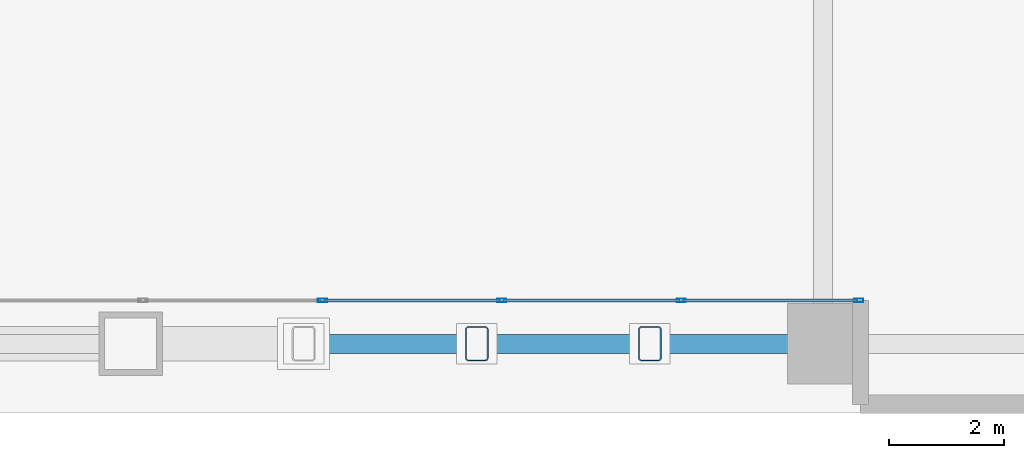
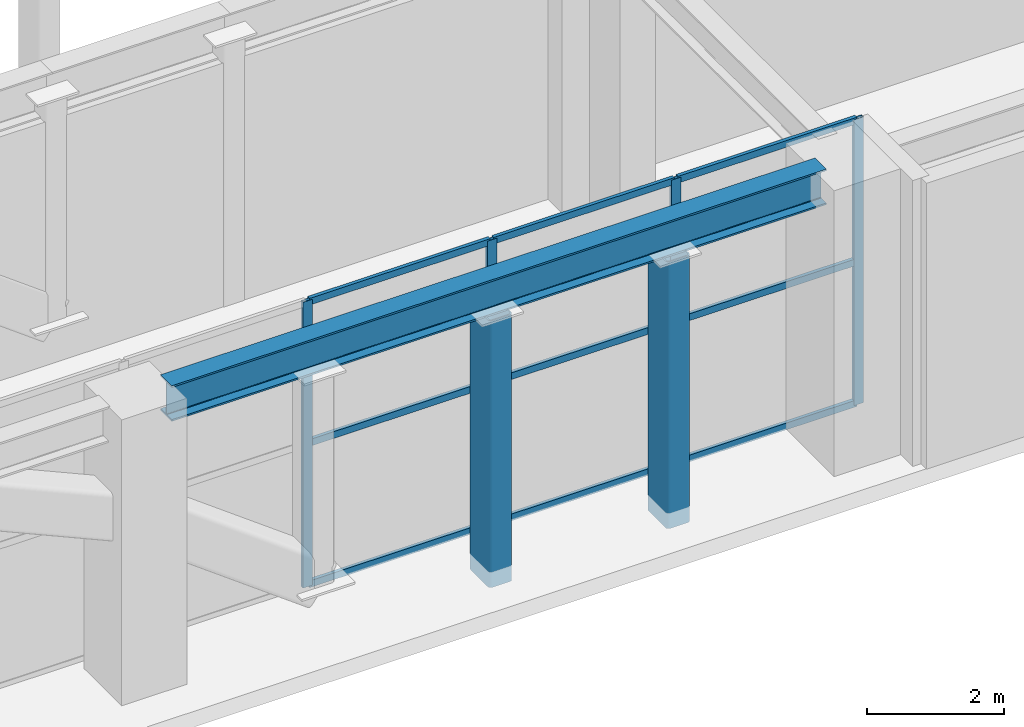
# One storey, part 9 of 32: 15 members, 1 beam, 1 element without a shape of its own.
"""IFC4 building model written with IfcOpenShell, lengths in metres."""

from ifc_helpers import new_model, si_unit, direction, frame, origin, origin_2d, place, context, subcontext, project, spatial, hollow_rectangle, i_section, extrude, material, layer, layer_set, material_profile, profile_set, type_object, element, aggregate, save


model = new_model("IFC4")

# Units and contexts
model_context = context("Model", 3, precision=1e-05, world=origin(), true_north=direction((0.0, 1.0)))
body_context = subcontext(model_context, "Body", "Model", "MODEL_VIEW")
ifc_project = project(units=[si_unit("LENGTHUNIT", "METRE"), si_unit("AREAUNIT", "SQUARE_METRE"), si_unit("VOLUMEUNIT", "CUBIC_METRE"), si_unit("PLANEANGLEUNIT", "RADIAN"), si_unit("MASSUNIT", "GRAM", prefix="KILO")], contexts=[model_context])

# Site, building, storey
site_placement = place(None, origin())
site = spatial("IfcSite", under=ifc_project, at=site_placement, CompositionType="ELEMENT")
building_placement = place(site_placement, origin())
building = spatial("IfcBuilding", under=site, at=building_placement, Name="Sarneth Arch Tower", CompositionType="ELEMENT")
storey_placement = place(building_placement, frame((0.0, 0.0, 11.39990234375)))
storey = spatial("IfcBuildingStorey", under=building, at=storey_placement, Name="L02", CompositionType="ELEMENT", Elevation=11.39990234375)

# Beam
ifc_material_1 = material(Name="Steel S355", Category="steel")
ifc_material_profile_1 = material_profile(ifc_material_1, i_section(OverallWidth=0.3291015625, OverallDepth=0.635009765625, WebThickness=0.017822265625, FlangeThickness=0.031005859375, FilletRadius=0.01904296875, at=origin_2d()), Name="W610x241")
ifc_profile_set_1 = profile_set([ifc_material_profile_1], Name="Steel S355")
beam_type = type_object("IfcBeamType", Name="BM-POD-610", PredefinedType="BEAM", material=ifc_profile_set_1)
beam_placement = place(storey_placement, frame((54.52001953125, 9.199951171875, 4.78271484375), z_axis=(1.0, 0.0, 0.0), x_axis=(0.0, 1.0, 0.0)))
element("IfcBeam", 1, at=beam_placement, inside=storey, type_object=beam_type, Name="L02 Podium PS girder 6", PredefinedType="BEAM", context=body_context, shape_type="SweptSolid", body=[
    extrude(i_section(OverallWidth=0.3291015625, OverallDepth=0.635009765625, WebThickness=0.017822265625, FlangeThickness=0.031005859375, FilletRadius=0.01904296875, at=origin_2d()), origin(), (0.0, 0.0, 1.0), 11.04443359375),
])

# Curtain wall, members
ifc_material_2 = material(Name="Anodised aluminium Type AA25 and solar-control low-e laminated IGU", Category="aluminium")
ifc_layer = layer(ifc_material_2, 0.199951171875)
ifc_layer_set = layer_set([ifc_layer], Name="Anodised aluminium Type AA25 and solar-control low-e laminated IGU")
curtain_wall_type = type_object("IfcCurtainWallType", Name="CW-ARCH-GLAZE", PredefinedType="NOTDEFINED", material=ifc_layer_set)
curtain_wall_placement = place(storey_placement, origin())
curtain_wall = element("IfcCurtainWall", 2, at=curtain_wall_placement, inside=storey, type_object=curtain_wall_type, Name="L02 South parabolic arch portal curtain wall", PredefinedType="NOTDEFINED")
ifc_material_3 = material(Name="Anodised Aluminium 6063-T6", Category="aluminium")
ifc_material_profile_2 = material_profile(ifc_material_3, hollow_rectangle(XDim=0.06005859375, YDim=0.159912109375, WallThickness=0.00390625, at=origin_2d()), Name="AL-MULL-160x60x4")
ifc_profile_set_2 = profile_set([ifc_material_profile_2], Name="Anodised Aluminium 6063-T6")
member_type_1 = type_object("IfcMemberType", Name="CW-MULLION", PredefinedType="MULLION", material=ifc_profile_set_2)
member_1_placement = place(storey_placement, frame((57.324951171875, 9.949951171875, 0.0), z_axis=(0.0, 0.0, 1.0), x_axis=(0.0, 1.0, 0.0)))
member_1 = element("IfcMember", 3, at=member_1_placement, type_object=member_type_1, Name="CW-SYS-2 mullion 10", PredefinedType="MULLION", context=body_context, shape_type="SweptSolid", body=[
    extrude(hollow_rectangle(XDim=0.06005859375, YDim=0.159912109375, WallThickness=0.00390625, at=origin_2d()), origin(), (0.0, 0.0, 1.0), 5.10009765625),
])
member_2_placement = place(storey_placement, frame((60.433349609375, 9.949951171875, 0.0), z_axis=(0.0, 0.0, 1.0), x_axis=(0.0, 1.0, 0.0)))
member_2 = element("IfcMember", 4, at=member_2_placement, type_object=member_type_1, Name="CW-SYS-2 mullion 11", PredefinedType="MULLION", context=body_context, shape_type="SweptSolid", body=[
    extrude(hollow_rectangle(XDim=0.06005859375, YDim=0.159912109375, WallThickness=0.00390625, at=origin_2d()), origin(), (0.0, 0.0, 1.0), 5.10009765625),
])
member_3_placement = place(storey_placement, frame((63.541748046875, 9.949951171875, 0.0), z_axis=(0.0, 0.0, 1.0), x_axis=(0.0, 1.0, 0.0)))
member_3 = element("IfcMember", 5, at=member_3_placement, type_object=member_type_1, Name="CW-SYS-2 mullion 12", PredefinedType="MULLION", context=body_context, shape_type="SweptSolid", body=[
    extrude(hollow_rectangle(XDim=0.06005859375, YDim=0.159912109375, WallThickness=0.00390625, at=origin_2d()), origin(), (0.0, 0.0, 1.0), 5.10009765625),
])
member_4_placement = place(storey_placement, frame((66.6201171875, 9.949951171875, 0.0), z_axis=(0.0, 0.0, 1.0), x_axis=(0.0, 1.0, 0.0)))
member_4 = element("IfcMember", 6, at=member_4_placement, type_object=member_type_1, Name="CW-SYS-2 mullion 13", PredefinedType="MULLION", context=body_context, shape_type="SweptSolid", body=[
    extrude(hollow_rectangle(XDim=0.06005859375, YDim=0.159912109375, WallThickness=0.00390625, at=origin_2d()), origin(), (0.0, 0.0, 1.0), 5.10009765625),
])
ifc_material_4 = material(Name="Anodised Aluminium 6063-T6", Category="aluminium")
ifc_material_profile_3 = material_profile(ifc_material_4, hollow_rectangle(XDim=0.06005859375, YDim=0.1201171875, WallThickness=0.00390625, at=origin_2d()), Name="AL-TRAN-120x60x4")
ifc_profile_set_3 = profile_set([ifc_material_profile_3], Name="Anodised Aluminium 6063-T6")
member_type_2 = type_object("IfcMemberType", Name="CW-TRANSOM", PredefinedType="USERDEFINED", material=ifc_profile_set_3)
member_5_placement = place(storey_placement, frame((57.35498046875, 9.949951171875, 0.030029296875), z_axis=(1.0, 0.0, 0.0), x_axis=(0.0, 1.0, 0.0)))
member_5 = element("IfcMember", 7, at=member_5_placement, type_object=member_type_2, Name="CW-SYS-2 transom 10.1", ObjectType="TRANSOM", PredefinedType="USERDEFINED", context=body_context, shape_type="SweptSolid", body=[
    extrude(hollow_rectangle(XDim=0.06005859375, YDim=0.1201171875, WallThickness=0.00390625, at=origin_2d()), origin(), (0.0, 0.0, 1.0), 3.04833984375),
])
member_6_placement = place(storey_placement, frame((57.35498046875, 9.949951171875, 2.550048828125), z_axis=(1.0, 0.0, 0.0), x_axis=(0.0, 1.0, 0.0)))
member_6 = element("IfcMember", 8, at=member_6_placement, type_object=member_type_2, Name="CW-SYS-2 transom 10.2", ObjectType="TRANSOM", PredefinedType="USERDEFINED", context=body_context, shape_type="SweptSolid", body=[
    extrude(hollow_rectangle(XDim=0.06005859375, YDim=0.1201171875, WallThickness=0.00390625, at=origin_2d()), origin(), (0.0, 0.0, 1.0), 3.04833984375),
])
member_7_placement = place(storey_placement, frame((57.35498046875, 9.949951171875, 5.070068359375), z_axis=(1.0, 0.0, 0.0), x_axis=(0.0, 1.0, 0.0)))
member_7 = element("IfcMember", 9, at=member_7_placement, type_object=member_type_2, Name="CW-SYS-2 transom 10.3", ObjectType="TRANSOM", PredefinedType="USERDEFINED", context=body_context, shape_type="SweptSolid", body=[
    extrude(hollow_rectangle(XDim=0.06005859375, YDim=0.1201171875, WallThickness=0.00390625, at=origin_2d()), origin(), (0.0, 0.0, 1.0), 3.04833984375),
])
member_8_placement = place(storey_placement, frame((60.46337890625, 9.949951171875, 0.030029296875), z_axis=(1.0, 0.0, 0.0), x_axis=(0.0, 1.0, 0.0)))
member_8 = element("IfcMember", 10, at=member_8_placement, type_object=member_type_2, Name="CW-SYS-2 transom 11.1", ObjectType="TRANSOM", PredefinedType="USERDEFINED", context=body_context, shape_type="SweptSolid", body=[
    extrude(hollow_rectangle(XDim=0.06005859375, YDim=0.1201171875, WallThickness=0.00390625, at=origin_2d()), origin(), (0.0, 0.0, 1.0), 3.04833984375),
])
member_9_placement = place(storey_placement, frame((60.46337890625, 9.949951171875, 2.550048828125), z_axis=(1.0, 0.0, 0.0), x_axis=(0.0, 1.0, 0.0)))
member_9 = element("IfcMember", 11, at=member_9_placement, type_object=member_type_2, Name="CW-SYS-2 transom 11.2", ObjectType="TRANSOM", PredefinedType="USERDEFINED", context=body_context, shape_type="SweptSolid", body=[
    extrude(hollow_rectangle(XDim=0.06005859375, YDim=0.1201171875, WallThickness=0.00390625, at=origin_2d()), origin(), (0.0, 0.0, 1.0), 3.04833984375),
])
member_10_placement = place(storey_placement, frame((60.46337890625, 9.949951171875, 5.070068359375), z_axis=(1.0, 0.0, 0.0), x_axis=(0.0, 1.0, 0.0)))
member_10 = element("IfcMember", 12, at=member_10_placement, type_object=member_type_2, Name="CW-SYS-2 transom 11.3", ObjectType="TRANSOM", PredefinedType="USERDEFINED", context=body_context, shape_type="SweptSolid", body=[
    extrude(hollow_rectangle(XDim=0.06005859375, YDim=0.1201171875, WallThickness=0.00390625, at=origin_2d()), origin(), (0.0, 0.0, 1.0), 3.04833984375),
])
member_11_placement = place(storey_placement, frame((63.57177734375, 9.949951171875, 0.030029296875), z_axis=(1.0, 0.0, 0.0), x_axis=(0.0, 1.0, 0.0)))
member_11 = element("IfcMember", 13, at=member_11_placement, type_object=member_type_2, Name="CW-SYS-2 transom 12.1", ObjectType="TRANSOM", PredefinedType="USERDEFINED", context=body_context, shape_type="SweptSolid", body=[
    extrude(hollow_rectangle(XDim=0.06005859375, YDim=0.1201171875, WallThickness=0.00390625, at=origin_2d()), origin(), (0.0, 0.0, 1.0), 3.018310546875),
])
member_12_placement = place(storey_placement, frame((63.57177734375, 9.949951171875, 2.550048828125), z_axis=(1.0, 0.0, 0.0), x_axis=(0.0, 1.0, 0.0)))
member_12 = element("IfcMember", 14, at=member_12_placement, type_object=member_type_2, Name="CW-SYS-2 transom 12.2", ObjectType="TRANSOM", PredefinedType="USERDEFINED", context=body_context, shape_type="SweptSolid", body=[
    extrude(hollow_rectangle(XDim=0.06005859375, YDim=0.1201171875, WallThickness=0.00390625, at=origin_2d()), origin(), (0.0, 0.0, 1.0), 3.018310546875),
])
member_13_placement = place(storey_placement, frame((63.57177734375, 9.949951171875, 5.070068359375), z_axis=(1.0, 0.0, 0.0), x_axis=(0.0, 1.0, 0.0)))
member_13 = element("IfcMember", 15, at=member_13_placement, type_object=member_type_2, Name="CW-SYS-2 transom 12.3", ObjectType="TRANSOM", PredefinedType="USERDEFINED", context=body_context, shape_type="SweptSolid", body=[
    extrude(hollow_rectangle(XDim=0.06005859375, YDim=0.1201171875, WallThickness=0.00390625, at=origin_2d()), origin(), (0.0, 0.0, 1.0), 3.018310546875),
])
aggregate(curtain_wall, [member_1, member_2, member_3, member_4, member_5, member_6, member_7, member_8, member_9, member_10, member_11, member_12, member_13])

# Members
ifc_material_5 = material(Name="Steel S355", Category="steel")
ifc_material_profile_4 = material_profile(ifc_material_5, hollow_rectangle(XDim=0.39990234375, YDim=0.60009765625, WallThickness=0.02197265625, InnerFilletRadius=0.032958984375, OuterFilletRadius=0.054931640625, at=origin_2d()), Name="RHS600x400x22")
ifc_profile_set_4 = profile_set([ifc_material_profile_4], Name="Steel S355")
member_type_3 = type_object("IfcMemberType", Name="MEM-ARCH-WEB", PredefinedType="BRACE", material=ifc_profile_set_4)
for number, where, z_axis, x_axis, name in (
    (16, (60.0, 9.199951171875, -0.27978515625), (0.0, 0.0, 1.0), (1.0, 0.0, 0.0), "Podium arch spandrel post 1.10B"),
    (17, (63.0, 9.199951171875, -0.27978515625), (0.0, 0.0, 1.0), (1.0, 0.0, 0.0), "Podium arch spandrel post 1.11B"),
):
    element("IfcMember", number, at=place(storey_placement, frame(where, z_axis=z_axis, x_axis=x_axis)), inside=storey, type_object=member_type_3, Name=name, PredefinedType="BRACE", context=body_context, shape_type="SweptSolid", body=[
        extrude(hollow_rectangle(XDim=0.39990234375, YDim=0.60009765625, WallThickness=0.02197265625, InnerFilletRadius=0.032958984375, OuterFilletRadius=0.054931640625, at=origin_2d()), origin(), (0.0, 0.0, 1.0), 4.759765625),
    ])

save(model, "model.ifc")
